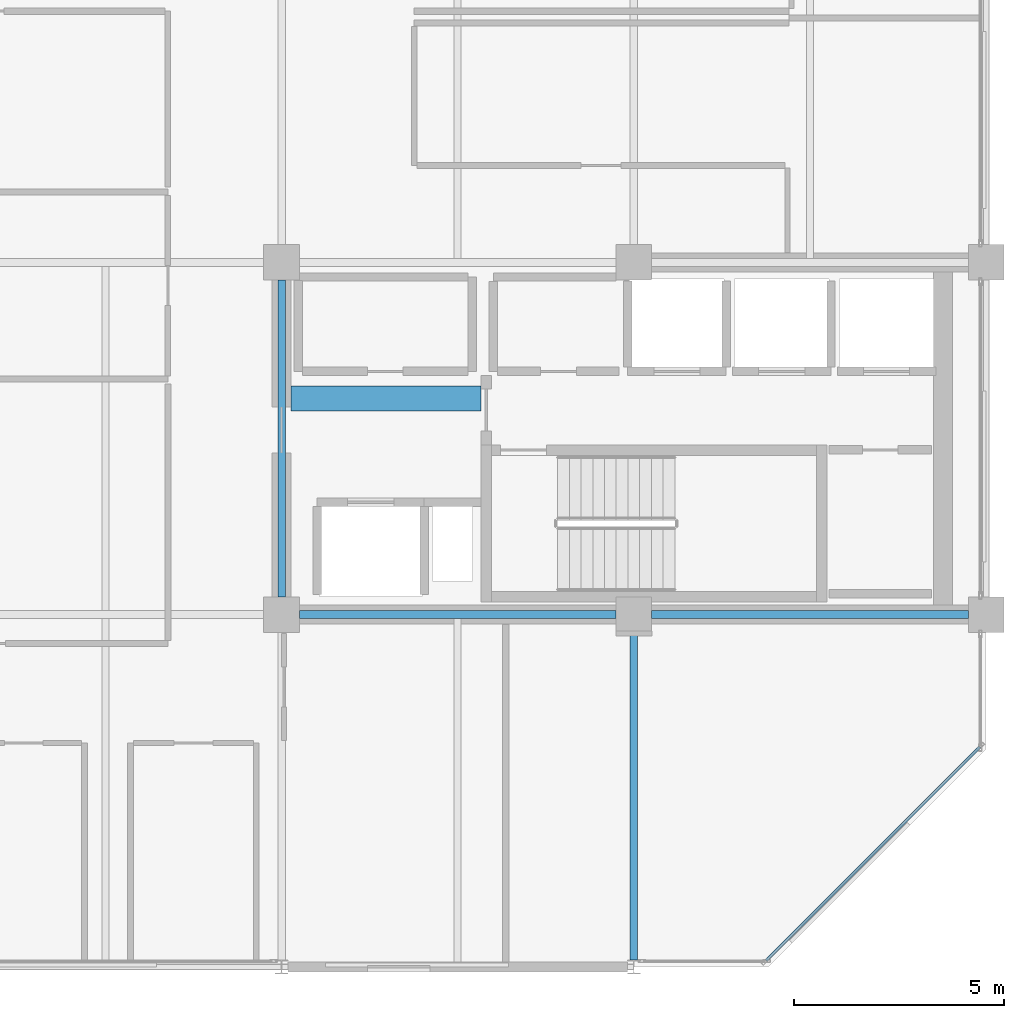
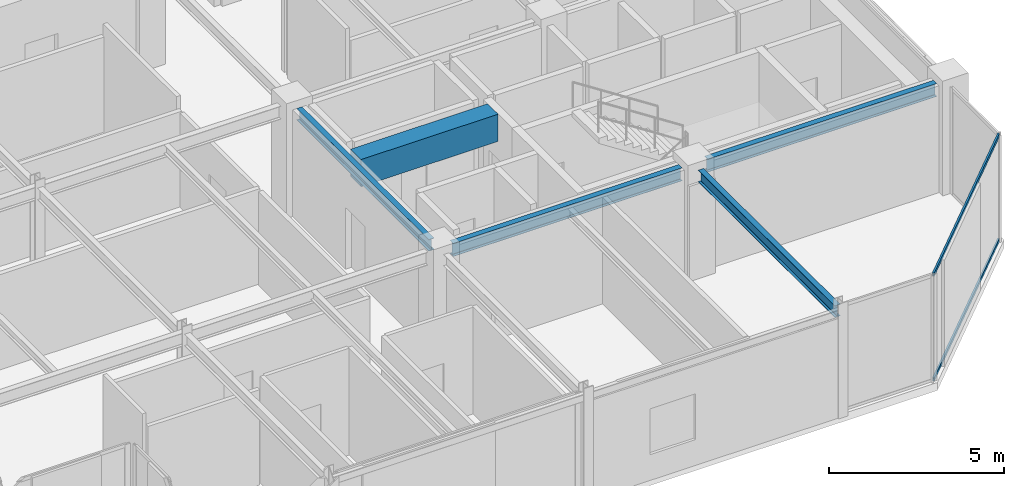
# One storey, part 8 of 24: 5 beams, 2 members, 1 element without a shape of its own.
"""IFC4 building model written with IfcOpenShell, lengths in metres."""

from ifc_helpers import new_model, si_unit, direction, frame, origin, origin_2d, place, context, subcontext, project, spatial, rectangle, hollow_rectangle, i_section, extrude, material, layer, layer_set, material_profile, profile_set, type_object, element, aggregate, save


model = new_model("IFC4")

# Units and contexts
model_context = context("Model", 3, precision=1e-05, world=origin(), true_north=direction((0.0, 1.0)))
body_context = subcontext(model_context, "Body", "Model", "MODEL_VIEW")
ifc_project = project(units=[si_unit("LENGTHUNIT", "METRE"), si_unit("AREAUNIT", "SQUARE_METRE"), si_unit("VOLUMEUNIT", "CUBIC_METRE"), si_unit("PLANEANGLEUNIT", "RADIAN"), si_unit("MASSUNIT", "GRAM", prefix="KILO")], contexts=[model_context])

# Site, building, storey
site_placement = place(None, origin())
site = spatial("IfcSite", under=ifc_project, at=site_placement, CompositionType="ELEMENT")
building_placement = place(site_placement, origin())
building = spatial("IfcBuilding", under=site, at=building_placement, Name="Nerrivon Quay Data Exchange", CompositionType="ELEMENT")
storey_placement = place(building_placement, frame((0.0, 0.0, 294.199951171875)))
storey = spatial("IfcBuildingStorey", under=building, at=storey_placement, Name="L70", CompositionType="ELEMENT", Elevation=294.199951171875)

# Beams
ifc_material_1 = material(Name="Concrete N50 (50 MPa)", Category="concrete")
ifc_material_profile_1 = material_profile(ifc_material_1, rectangle(XDim=0.60009765625, YDim=0.949951171875, at=origin_2d()), Name="RC-CB-600x950")
ifc_profile_set_1 = profile_set([ifc_material_profile_1], Name="Concrete N50 (50 MPa)")
beam_type_1 = type_object("IfcBeamType", Name="BM-CB2-600x950", PredefinedType="LINTEL", material=ifc_profile_set_1)
beam_1_placement = place(storey_placement, frame((17.02490234375, 13.550048828125, 3.25), z_axis=(1.0, 0.0, 0.0), x_axis=(0.0, 1.0, 0.0)))
element("IfcBeam", 1, at=beam_1_placement, inside=storey, type_object=beam_type_1, Name="L70 East Core Coupling Beam", PredefinedType="LINTEL", context=body_context, shape_type="SweptSolid", body=[
    extrude(rectangle(XDim=0.60009765625, YDim=0.949951171875, at=origin_2d()), origin(), (0.0, 0.0, 1.0), 4.530029296875),
])
ifc_material_2 = material(Name="Steel Grade 350", Category="steel")
ifc_material_profile_2 = material_profile(ifc_material_2, i_section(OverallWidth=0.18994140625, OverallDepth=0.4541015625, WebThickness=0.008544921875, FlangeThickness=0.0126953125, FilletRadius=0.011474609375, at=origin_2d()), Name="460UB67.1")
ifc_profile_set_2 = profile_set([ifc_material_profile_2], Name="Steel Grade 350")
beam_type_2 = type_object("IfcBeamType", Name="BM-G6-460UB67", PredefinedType="BEAM", material=ifc_profile_set_2)
beam_2_placement = place(storey_placement, frame((17.22509765625, 8.39990234375, 3.498046875), z_axis=(1.0, 0.0, 0.0), x_axis=(0.0, 1.0, 0.0)))
element("IfcBeam", 2, at=beam_2_placement, inside=storey, type_object=beam_type_2, Name="L70 EW Girder Y=8.4 (16.8..25.2)", PredefinedType="BEAM", context=body_context, shape_type="SweptSolid", body=[
    extrude(i_section(OverallWidth=0.18994140625, OverallDepth=0.4541015625, WebThickness=0.008544921875, FlangeThickness=0.0126953125, FilletRadius=0.011474609375, at=origin_2d()), origin(), (0.0, 0.0, 1.0), 7.5498046875),
])
beam_3_placement = place(storey_placement, frame((25.625, 8.39990234375, 3.498046875), z_axis=(1.0, 0.0, 0.0), x_axis=(0.0, 1.0, 0.0)))
element("IfcBeam", 3, at=beam_3_placement, inside=storey, type_object=beam_type_2, Name="L70 EW Girder Y=8.4 (25.2..33.6)", PredefinedType="BEAM", context=body_context, shape_type="SweptSolid", body=[
    extrude(i_section(OverallWidth=0.18994140625, OverallDepth=0.4541015625, WebThickness=0.008544921875, FlangeThickness=0.0126953125, FilletRadius=0.011474609375, at=origin_2d()), origin(), (0.0, 0.0, 1.0), 7.550048828125),
])
ifc_material_profile_3 = material_profile(ifc_material_2, i_section(OverallWidth=0.177978515625, OverallDepth=0.406005859375, WebThickness=0.0078125, FlangeThickness=0.0126953125, FilletRadius=0.011474609375, at=origin_2d()), Name="410UB59.7")
ifc_profile_set_3 = profile_set([ifc_material_profile_3], Name="Steel Grade 350")
beam_type_3 = type_object("IfcBeamType", Name="BM-J1-410UB60", PredefinedType="JOIST", material=ifc_profile_set_3)
beam_4_placement = place(storey_placement, frame((16.800048828125, 8.824951171875, 3.52197265625), z_axis=(0.0, 1.0, 0.0), x_axis=(-1.0, 0.0, 0.0)))
element("IfcBeam", 4, at=beam_4_placement, inside=storey, type_object=beam_type_3, Name="L70 NS Girder X=16.8 (8.4..16.8)", PredefinedType="JOIST", context=body_context, shape_type="SweptSolid", body=[
    extrude(i_section(OverallWidth=0.177978515625, OverallDepth=0.406005859375, WebThickness=0.0078125, FlangeThickness=0.0126953125, FilletRadius=0.011474609375, at=origin_2d()), origin(), (0.0, 0.0, 1.0), 7.550048828125),
])
beam_5_placement = place(storey_placement, frame((25.199951171875, 0.16357421875, 3.52197265625), z_axis=(0.0, 1.0, 0.0), x_axis=(-1.0, 0.0, 0.0)))
element("IfcBeam", 5, at=beam_5_placement, inside=storey, type_object=beam_type_3, Name="L70 NS Girder X=25.2 (0.0..8.4)", PredefinedType="JOIST", context=body_context, shape_type="SweptSolid", body=[
    extrude(i_section(OverallWidth=0.177978515625, OverallDepth=0.406005859375, WebThickness=0.0078125, FlangeThickness=0.0126953125, FilletRadius=0.011474609375, at=origin_2d()), origin(), (0.0, 0.0, 1.0), 7.8115234375),
])

# Curtain wall, members
ifc_material_3 = material(Name="Anodised aluminium 6063-T6", Category="aluminium")
ifc_layer = layer(ifc_material_3, 0.195068359375)
ifc_layer_set = layer_set([ifc_layer], Name="Anodised aluminium 6063-T6")
curtain_wall_type = type_object("IfcCurtainWallType", Name="CW-SYS-06", PredefinedType="NOTDEFINED", material=ifc_layer_set)
curtain_wall_placement = place(storey_placement, origin())
curtain_wall = element("IfcCurtainWall", 6, at=curtain_wall_placement, inside=storey, type_object=curtain_wall_type, Name="L70 Unitised Curtain Wall 1", PredefinedType="NOTDEFINED")
ifc_material_profile_4 = material_profile(ifc_material_3, hollow_rectangle(XDim=0.06005859375, YDim=0.1201171875, WallThickness=0.003173828125, at=origin_2d()), Name="ALU-TRAN-120x60")
ifc_profile_set_4 = profile_set([ifc_material_profile_4], Name="Anodised aluminium 6063-T6")
member_type = type_object("IfcMemberType", Name="CWT-120x60", PredefinedType="USERDEFINED", material=ifc_profile_set_4)
member_1_placement = place(storey_placement, frame((33.447998046875, 5.245849609375, 0.032470703125), z_axis=(-0.707123726196, -0.707089835771, 0.0), x_axis=(0.707089835771, -0.707123726196, 0.0)))
member_1 = element("IfcMember", 7, at=member_1_placement, type_object=member_type, Name="CW06 transom 1.1", ObjectType="TRANSOM", PredefinedType="USERDEFINED", context=body_context, shape_type="SweptSolid", body=[
    extrude(hollow_rectangle(XDim=0.06005859375, YDim=0.1201171875, WallThickness=0.003173828125, at=origin_2d()), origin(), (0.0, 0.0, 1.0), 7.203857421875),
])
member_2_placement = place(storey_placement, frame((33.447998046875, 5.245849609375, 3.692626953125), z_axis=(-0.707123726196, -0.707089835771, 0.0), x_axis=(0.707089835771, -0.707123726196, 0.0)))
member_2 = element("IfcMember", 8, at=member_2_placement, type_object=member_type, Name="CW06 transom 1.2", ObjectType="TRANSOM", PredefinedType="USERDEFINED", context=body_context, shape_type="SweptSolid", body=[
    extrude(hollow_rectangle(XDim=0.06005859375, YDim=0.1201171875, WallThickness=0.003173828125, at=origin_2d()), origin(), (0.0, 0.0, 1.0), 7.203857421875),
])
aggregate(curtain_wall, [member_1, member_2])

save(model, "model.ifc")
